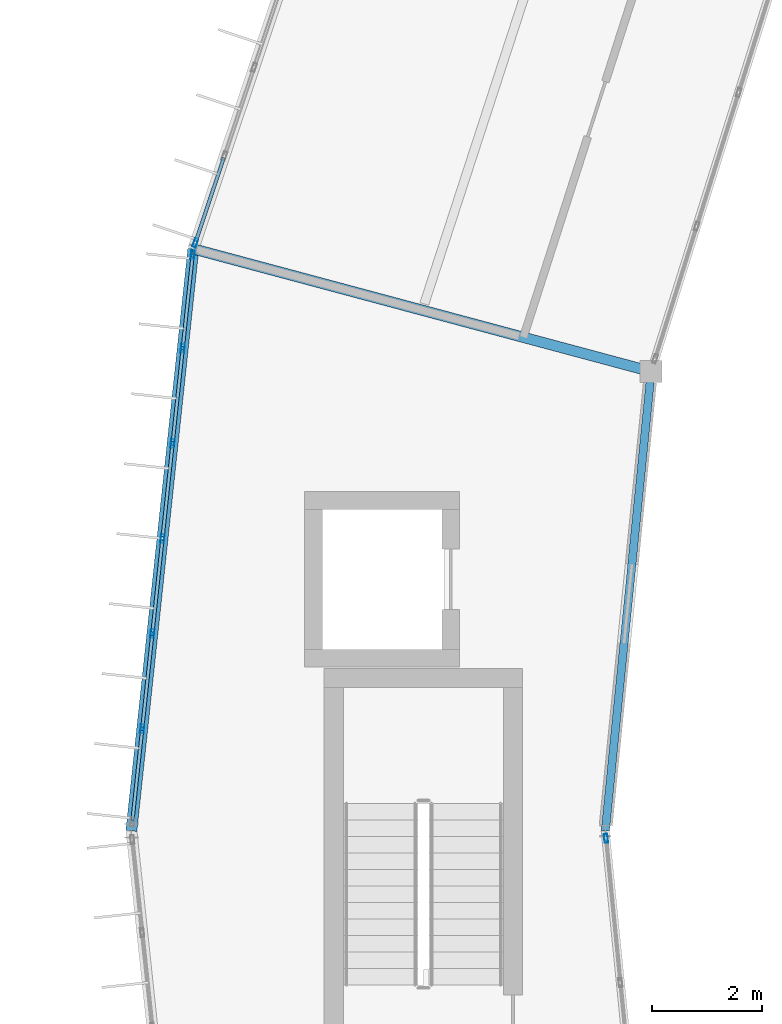
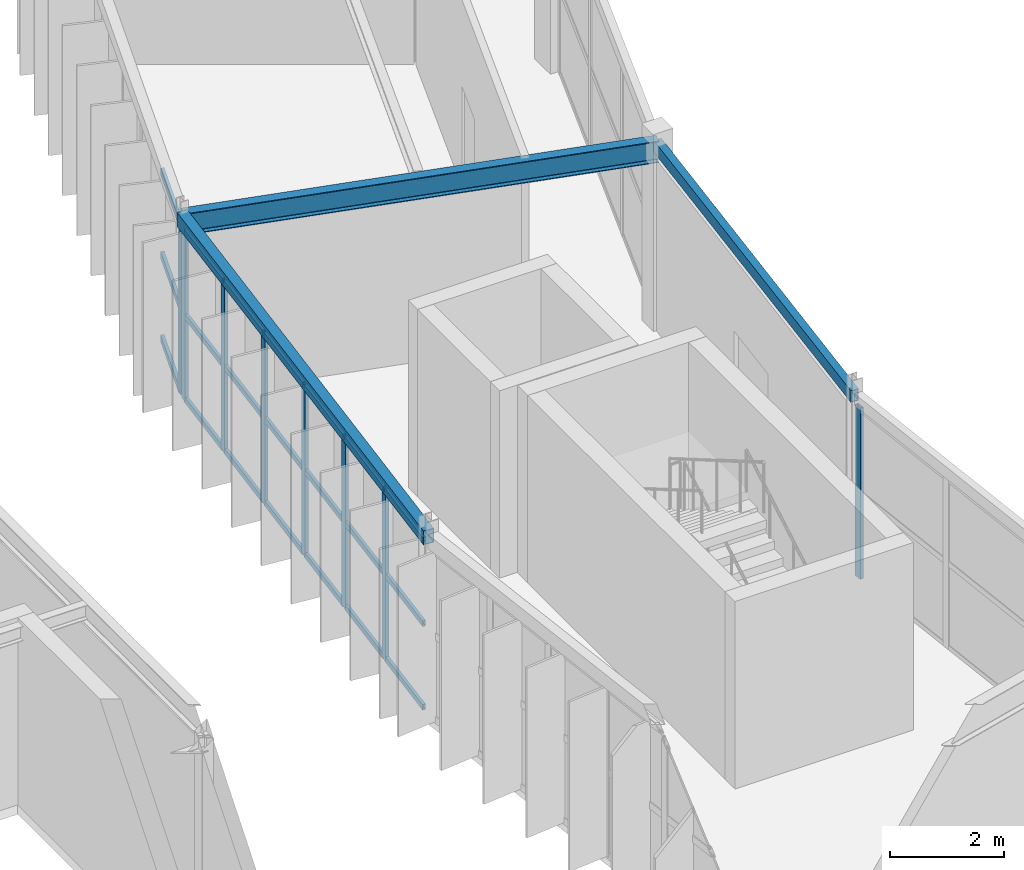
# One storey, part 39 of 130: 29 members, 3 beams, 3 elements without a shape of their own.
"""IFC4 building model written with IfcOpenShell, lengths in metres."""

from ifc_helpers import new_model, si_unit, direction, frame, origin, origin_2d, place, context, subcontext, project, spatial, hollow_rectangle, i_section, extrude, material, material_profile, profile_set, type_object, element, aggregate, save


model = new_model("IFC4")

# Units and contexts
model_context = context("Model", 3, precision=1e-05, world=origin(), true_north=direction((0.0, 1.0)))
body_context = subcontext(model_context, "Body", "Model", "MODEL_VIEW")
ifc_project = project(units=[si_unit("LENGTHUNIT", "METRE"), si_unit("AREAUNIT", "SQUARE_METRE"), si_unit("VOLUMEUNIT", "CUBIC_METRE"), si_unit("PLANEANGLEUNIT", "RADIAN"), si_unit("MASSUNIT", "GRAM", prefix="KILO")], contexts=[model_context])

# Site, building, storey
site_placement = place(None, origin())
site = spatial("IfcSite", under=ifc_project, at=site_placement, CompositionType="ELEMENT")
building_placement = place(site_placement, origin())
building = spatial("IfcBuilding", under=site, at=building_placement, Name="Karori Crest Natural Sciences Institute", CompositionType="ELEMENT")
storey_placement = place(building_placement, frame((0.0, 0.0, 17.5)))
storey = spatial("IfcBuildingStorey", under=building, at=storey_placement, Name="L04", CompositionType="ELEMENT", Elevation=17.5)

# Beams
ifc_material_1 = material(Name="Structural steel AS/NZS 3679.1 Grade 350", Category="steel")
ifc_material_profile_1 = material_profile(ifc_material_1, i_section(OverallWidth=0.19091796875, OverallDepth=0.4599609375, WebThickness=0.010009765625, FlangeThickness=0.01611328125, FilletRadius=0.010986328125, at=origin_2d()), Name="460UB82.1")
ifc_profile_set_1 = profile_set([ifc_material_profile_1], Name="Structural steel AS/NZS 3679.1 Grade 350")
beam_type_1 = type_object("IfcBeamType", Name="BT-06", PredefinedType="BEAM", material=ifc_profile_set_1)
beam_1_placement = place(storey_placement, frame((42.831298828125, 58.23388671875, 3.7099609375), z_axis=(-0.965925622404, 0.258819806009, 0.0), x_axis=(-0.258819806009, -0.965925622404, 0.0)))
element("IfcBeam", 1, at=beam_1_placement, inside=storey, type_object=beam_type_1, Name="Beam B-0495", PredefinedType="BEAM", context=body_context, shape_type="SweptSolid", body=[
    extrude(i_section(OverallWidth=0.19091796875, OverallDepth=0.4599609375, WebThickness=0.010009765625, FlangeThickness=0.01611328125, FilletRadius=0.010986328125, at=origin_2d()), origin(), (0.0, 0.0, 1.0), 8.599853515625),
])
ifc_material_2 = material(Name="Hollow structural steel AS/NZS 1163 Grade C350", Category="steel")
ifc_material_profile_2 = material_profile(ifc_material_2, hollow_rectangle(XDim=0.199951171875, YDim=0.300048828125, WallThickness=0.010009765625, at=origin_2d()), Name="RHS300x200x10")
ifc_profile_set_2 = profile_set([ifc_material_profile_2], Name="Hollow structural steel AS/NZS 1163 Grade C350")
beam_type_2 = type_object("IfcBeamType", Name="BT-15", PredefinedType="SPANDREL", material=ifc_profile_set_2)
beam_2_placement = place(storey_placement, frame((34.5244140625, 60.459716796875, 3.7900390625), z_axis=(-0.105891010563, -0.994377742049, 0.0), x_axis=(0.994377742049, -0.105891010563, 0.0)))
element("IfcBeam", 2, at=beam_2_placement, inside=storey, type_object=beam_type_2, Name="Beam B-0493", PredefinedType="SPANDREL", context=body_context, shape_type="SweptSolid", body=[
    extrude(hollow_rectangle(XDim=0.199951171875, YDim=0.300048828125, WallThickness=0.010009765625, at=origin_2d()), origin(), (0.0, 0.0, 1.0), 10.61962890625),
])
ifc_material_profile_3 = material_profile(ifc_material_2, hollow_rectangle(XDim=0.14990234375, YDim=0.25, WallThickness=0.009033203125, at=origin_2d()), Name="RHS250x150x9")
ifc_profile_set_3 = profile_set([ifc_material_profile_3], Name="Hollow structural steel AS/NZS 1163 Grade C350")
beam_type_3 = type_object("IfcBeamType", Name="BT-16", PredefinedType="SPANDREL", material=ifc_profile_set_3)
beam_3_placement = place(storey_placement, frame((42.831298828125, 58.23388671875, 3.7900390625), z_axis=(-0.099255508608, -0.995061979985, 0.0), x_axis=(0.995061979985, -0.099255508608, 0.0)))
element("IfcBeam", 3, at=beam_3_placement, inside=storey, type_object=beam_type_3, Name="Beam B-0494", PredefinedType="SPANDREL", context=body_context, shape_type="SweptSolid", body=[
    extrude(hollow_rectangle(XDim=0.14990234375, YDim=0.25, WallThickness=0.009033203125, at=origin_2d()), origin(), (0.0, 0.0, 1.0), 8.375244140625),
])

# Curtain wall, member
ifc_material_3 = material(Name="Anodised architectural aluminium 6063-T6", Category="aluminium")
curtain_wall_type_1 = type_object("IfcCurtainWallType", Name="CWT-01", PredefinedType="NOTDEFINED", material=ifc_material_3)
curtain_wall_1_placement = place(storey_placement, origin())
curtain_wall_1 = element("IfcCurtainWall", 4, at=curtain_wall_1_placement, inside=storey, type_object=curtain_wall_type_1, Name="Curtain wall CW-0151", PredefinedType="NOTDEFINED")
ifc_material_profile_4 = material_profile(ifc_material_3, hollow_rectangle(XDim=0.06494140625, YDim=0.159912109375, WallThickness=0.00390625, at=origin_2d()), Name="CWM160x65x4")
ifc_profile_set_4 = profile_set([ifc_material_profile_4], Name="Anodised architectural aluminium 6063-T6")
member_type_1 = type_object("IfcMemberType", Name="CWM-01", PredefinedType="MULLION", material=ifc_profile_set_4)
member_1_placement = place(storey_placement, frame((34.561279296875, 60.56982421875, 0.0), z_axis=(0.0, 0.0, 1.0), x_axis=(-0.94819805026, 0.317679803392, 0.0)))
member_1 = element("IfcMember", 5, at=member_1_placement, type_object=member_type_1, Name="CW-0151 mullion 1", PredefinedType="MULLION", context=body_context, shape_type="SweptSolid", body=[
    extrude(hollow_rectangle(XDim=0.06494140625, YDim=0.159912109375, WallThickness=0.00390625, at=origin_2d()), origin(), (0.0, 0.0, 1.0), 3.625),
])

# Curtain wall, members
curtain_wall_type_2 = type_object("IfcCurtainWallType", Name="CWT-02", PredefinedType="NOTDEFINED", material=ifc_material_3)
curtain_wall_2_placement = place(storey_placement, origin())
curtain_wall_2 = element("IfcCurtainWall", 6, at=curtain_wall_2_placement, inside=storey, type_object=curtain_wall_type_2, Name="Curtain wall CW-0153", PredefinedType="NOTDEFINED")
member_2_placement = place(storey_placement, frame((33.597412109375, 51.75341796875, 0.0), z_axis=(0.0, 0.0, 1.0), x_axis=(-0.994378309998, 0.105885677057, 0.0)))
member_2 = element("IfcMember", 7, at=member_2_placement, type_object=member_type_1, Name="CW-0153 mullion 2", PredefinedType="MULLION", context=body_context, shape_type="SweptSolid", body=[
    extrude(hollow_rectangle(XDim=0.06494140625, YDim=0.159912109375, WallThickness=0.00390625, at=origin_2d()), origin(), (0.0, 0.0, 1.0), 3.625),
])
member_3_placement = place(storey_placement, frame((33.781005859375, 53.47900390625, 0.0), z_axis=(0.0, 0.0, 1.0), x_axis=(-0.994378309998, 0.105885677057, 0.0)))
member_3 = element("IfcMember", 8, at=member_3_placement, type_object=member_type_1, Name="CW-0153 mullion 3", PredefinedType="MULLION", context=body_context, shape_type="SweptSolid", body=[
    extrude(hollow_rectangle(XDim=0.06494140625, YDim=0.159912109375, WallThickness=0.00390625, at=origin_2d()), origin(), (0.0, 0.0, 1.0), 3.625),
])
member_4_placement = place(storey_placement, frame((33.96484375, 55.204345703125, 0.0), z_axis=(0.0, 0.0, 1.0), x_axis=(-0.994378309998, 0.105885677057, 0.0)))
member_4 = element("IfcMember", 9, at=member_4_placement, type_object=member_type_1, Name="CW-0153 mullion 4", PredefinedType="MULLION", context=body_context, shape_type="SweptSolid", body=[
    extrude(hollow_rectangle(XDim=0.06494140625, YDim=0.159912109375, WallThickness=0.00390625, at=origin_2d()), origin(), (0.0, 0.0, 1.0), 3.625),
])
member_5_placement = place(storey_placement, frame((34.1484375, 56.9296875, 0.0), z_axis=(0.0, 0.0, 1.0), x_axis=(-0.994378309998, 0.105885677057, 0.0)))
member_5 = element("IfcMember", 10, at=member_5_placement, type_object=member_type_1, Name="CW-0153 mullion 5", PredefinedType="MULLION", context=body_context, shape_type="SweptSolid", body=[
    extrude(hollow_rectangle(XDim=0.06494140625, YDim=0.159912109375, WallThickness=0.00390625, at=origin_2d()), origin(), (0.0, 0.0, 1.0), 3.625),
])
member_6_placement = place(storey_placement, frame((34.332275390625, 58.6552734375, 0.0), z_axis=(0.0, 0.0, 1.0), x_axis=(-0.994378309998, 0.105885677057, 0.0)))
member_6 = element("IfcMember", 11, at=member_6_placement, type_object=member_type_1, Name="CW-0153 mullion 6", PredefinedType="MULLION", context=body_context, shape_type="SweptSolid", body=[
    extrude(hollow_rectangle(XDim=0.06494140625, YDim=0.159912109375, WallThickness=0.00390625, at=origin_2d()), origin(), (0.0, 0.0, 1.0), 3.625),
])
member_7_placement = place(storey_placement, frame((34.512451171875, 60.348388671875, 0.0), z_axis=(0.0, 0.0, 1.0), x_axis=(-0.994378309998, 0.105885677057, 0.0)))
member_7 = element("IfcMember", 12, at=member_7_placement, type_object=member_type_1, Name="CW-0153 mullion 7", PredefinedType="MULLION", context=body_context, shape_type="SweptSolid", body=[
    extrude(hollow_rectangle(XDim=0.06494140625, YDim=0.159912109375, WallThickness=0.00390625, at=origin_2d()), origin(), (0.0, 0.0, 1.0), 3.625),
])

# Curtain wall, member
curtain_wall_type_3 = type_object("IfcCurtainWallType", Name="CWT-13", PredefinedType="NOTDEFINED", material=ifc_material_3)
curtain_wall_3_placement = place(storey_placement, origin())
curtain_wall_3 = element("IfcCurtainWall", 13, at=curtain_wall_3_placement, inside=storey, type_object=curtain_wall_type_3, Name="Curtain wall CW-0155", PredefinedType="NOTDEFINED")
member_8_placement = place(storey_placement, frame((42.013427734375, 49.7646484375, 0.0), z_axis=(0.0, 0.0, 1.0), x_axis=(0.995060684604, 0.099268494275, 0.0)))
member_8 = element("IfcMember", 14, at=member_8_placement, type_object=member_type_1, Name="CW-0155 mullion 1", PredefinedType="MULLION", context=body_context, shape_type="SweptSolid", body=[
    extrude(hollow_rectangle(XDim=0.06494140625, YDim=0.159912109375, WallThickness=0.00390625, at=origin_2d()), origin(), (0.0, 0.0, 1.0), 3.64990234375),
])
aggregate(curtain_wall_3, [member_8])

# Member
ifc_material_profile_5 = material_profile(ifc_material_3, hollow_rectangle(XDim=0.06005859375, YDim=0.1201171875, WallThickness=0.00390625, at=origin_2d()), Name="CWT120x60x4")
ifc_profile_set_5 = profile_set([ifc_material_profile_5], Name="Anodised architectural aluminium 6063-T6")
member_type_2 = type_object("IfcMemberType", Name="CWT-TR1", PredefinedType="USERDEFINED", material=ifc_profile_set_5)
member_9_placement = place(storey_placement, frame((33.42041015625, 50.092529296875, 0.030029296875), z_axis=(0.1059804823, 0.994368210157, 0.0), x_axis=(-0.994368210157, 0.1059804823, 0.0)))
member_9 = element("IfcMember", 15, at=member_9_placement, type_object=member_type_2, Name="CW-0153 transom 1.1", ObjectType="TRANSOM", PredefinedType="USERDEFINED", context=body_context, shape_type="SweptSolid", body=[
    extrude(hollow_rectangle(XDim=0.06005859375, YDim=0.1201171875, WallThickness=0.00390625, at=origin_2d()), origin(), (0.0, 0.0, 1.0), 1.637939453125),
])

member_10_placement = place(storey_placement, frame((33.42041015625, 50.092529296875, 1.8125), z_axis=(0.1059804823, 0.994368210157, 0.0), x_axis=(-0.994368210157, 0.1059804823, 0.0)))
member_10 = element("IfcMember", 16, at=member_10_placement, type_object=member_type_2, Name="CW-0153 transom 1.2", ObjectType="TRANSOM", PredefinedType="USERDEFINED", context=body_context, shape_type="SweptSolid", body=[
    extrude(hollow_rectangle(XDim=0.06005859375, YDim=0.1201171875, WallThickness=0.00390625, at=origin_2d()), origin(), (0.0, 0.0, 1.0), 1.637939453125),
])

member_11_placement = place(storey_placement, frame((33.42041015625, 50.092529296875, 3.594970703125), z_axis=(0.1059804823, 0.994368210157, 0.0), x_axis=(-0.994368210157, 0.1059804823, 0.0)))
member_11 = element("IfcMember", 17, at=member_11_placement, type_object=member_type_2, Name="CW-0153 transom 1.3", ObjectType="TRANSOM", PredefinedType="USERDEFINED", context=body_context, shape_type="SweptSolid", body=[
    extrude(hollow_rectangle(XDim=0.06005859375, YDim=0.1201171875, WallThickness=0.00390625, at=origin_2d()), origin(), (0.0, 0.0, 1.0), 1.637939453125),
])

member_12_placement = place(storey_placement, frame((33.600830078125, 51.785888671875, 0.030029296875), z_axis=(0.105841415473, 0.994383022165, 0.0), x_axis=(-0.994383022165, 0.105841415473, 0.0)))
member_12 = element("IfcMember", 18, at=member_12_placement, type_object=member_type_2, Name="CW-0153 transom 2.1", ObjectType="TRANSOM", PredefinedType="USERDEFINED", context=body_context, shape_type="SweptSolid", body=[
    extrude(hollow_rectangle(XDim=0.06005859375, YDim=0.1201171875, WallThickness=0.00390625, at=origin_2d()), origin(), (0.0, 0.0, 1.0), 1.669921875),
])

member_13_placement = place(storey_placement, frame((33.600830078125, 51.785888671875, 1.8125), z_axis=(0.105841415473, 0.994383022165, 0.0), x_axis=(-0.994383022165, 0.105841415473, 0.0)))
member_13 = element("IfcMember", 19, at=member_13_placement, type_object=member_type_2, Name="CW-0153 transom 2.2", ObjectType="TRANSOM", PredefinedType="USERDEFINED", context=body_context, shape_type="SweptSolid", body=[
    extrude(hollow_rectangle(XDim=0.06005859375, YDim=0.1201171875, WallThickness=0.00390625, at=origin_2d()), origin(), (0.0, 0.0, 1.0), 1.669921875),
])

member_14_placement = place(storey_placement, frame((33.600830078125, 51.785888671875, 3.594970703125), z_axis=(0.105841415473, 0.994383022165, 0.0), x_axis=(-0.994383022165, 0.105841415473, 0.0)))
member_14 = element("IfcMember", 20, at=member_14_placement, type_object=member_type_2, Name="CW-0153 transom 2.3", ObjectType="TRANSOM", PredefinedType="USERDEFINED", context=body_context, shape_type="SweptSolid", body=[
    extrude(hollow_rectangle(XDim=0.06005859375, YDim=0.1201171875, WallThickness=0.00390625, at=origin_2d()), origin(), (0.0, 0.0, 1.0), 1.669921875),
])

member_15_placement = place(storey_placement, frame((33.784423828125, 53.51123046875, 0.030029296875), z_axis=(0.105970559906, 0.994369267643, 0.0), x_axis=(-0.994369267643, 0.105970559906, 0.0)))
member_15 = element("IfcMember", 21, at=member_15_placement, type_object=member_type_2, Name="CW-0153 transom 3.1", ObjectType="TRANSOM", PredefinedType="USERDEFINED", context=body_context, shape_type="SweptSolid", body=[
    extrude(hollow_rectangle(XDim=0.06005859375, YDim=0.1201171875, WallThickness=0.00390625, at=origin_2d()), origin(), (0.0, 0.0, 1.0), 1.67041015625),
])

member_16_placement = place(storey_placement, frame((33.784423828125, 53.51123046875, 1.8125), z_axis=(0.105970559906, 0.994369267643, 0.0), x_axis=(-0.994369267643, 0.105970559906, 0.0)))
member_16 = element("IfcMember", 22, at=member_16_placement, type_object=member_type_2, Name="CW-0153 transom 3.2", ObjectType="TRANSOM", PredefinedType="USERDEFINED", context=body_context, shape_type="SweptSolid", body=[
    extrude(hollow_rectangle(XDim=0.06005859375, YDim=0.1201171875, WallThickness=0.00390625, at=origin_2d()), origin(), (0.0, 0.0, 1.0), 1.67041015625),
])

member_17_placement = place(storey_placement, frame((33.784423828125, 53.51123046875, 3.594970703125), z_axis=(0.105970559906, 0.994369267643, 0.0), x_axis=(-0.994369267643, 0.105970559906, 0.0)))
member_17 = element("IfcMember", 23, at=member_17_placement, type_object=member_type_2, Name="CW-0153 transom 3.3", ObjectType="TRANSOM", PredefinedType="USERDEFINED", context=body_context, shape_type="SweptSolid", body=[
    extrude(hollow_rectangle(XDim=0.06005859375, YDim=0.1201171875, WallThickness=0.00390625, at=origin_2d()), origin(), (0.0, 0.0, 1.0), 1.67041015625),
])

member_18_placement = place(storey_placement, frame((33.96826171875, 55.236572265625, 0.030029296875), z_axis=(0.105826031672, 0.994384659486, 0.0), x_axis=(-0.994384659486, 0.105826031672, 0.0)))
member_18 = element("IfcMember", 24, at=member_18_placement, type_object=member_type_2, Name="CW-0153 transom 4.1", ObjectType="TRANSOM", PredefinedType="USERDEFINED", context=body_context, shape_type="SweptSolid", body=[
    extrude(hollow_rectangle(XDim=0.06005859375, YDim=0.1201171875, WallThickness=0.00390625, at=origin_2d()), origin(), (0.0, 0.0, 1.0), 1.670166015625),
])

member_19_placement = place(storey_placement, frame((33.96826171875, 55.236572265625, 1.8125), z_axis=(0.105826031672, 0.994384659486, 0.0), x_axis=(-0.994384659486, 0.105826031672, 0.0)))
member_19 = element("IfcMember", 25, at=member_19_placement, type_object=member_type_2, Name="CW-0153 transom 4.2", ObjectType="TRANSOM", PredefinedType="USERDEFINED", context=body_context, shape_type="SweptSolid", body=[
    extrude(hollow_rectangle(XDim=0.06005859375, YDim=0.1201171875, WallThickness=0.00390625, at=origin_2d()), origin(), (0.0, 0.0, 1.0), 1.670166015625),
])

member_20_placement = place(storey_placement, frame((33.96826171875, 55.236572265625, 3.594970703125), z_axis=(0.105826031672, 0.994384659486, 0.0), x_axis=(-0.994384659486, 0.105826031672, 0.0)))
member_20 = element("IfcMember", 26, at=member_20_placement, type_object=member_type_2, Name="CW-0153 transom 4.3", ObjectType="TRANSOM", PredefinedType="USERDEFINED", context=body_context, shape_type="SweptSolid", body=[
    extrude(hollow_rectangle(XDim=0.06005859375, YDim=0.1201171875, WallThickness=0.00390625, at=origin_2d()), origin(), (0.0, 0.0, 1.0), 1.670166015625),
])

member_21_placement = place(storey_placement, frame((34.15185546875, 56.962158203125, 0.030029296875), z_axis=(0.105970559906, 0.994369267643, 0.0), x_axis=(-0.994369267643, 0.105970559906, 0.0)))
member_21 = element("IfcMember", 27, at=member_21_placement, type_object=member_type_2, Name="CW-0153 transom 5.1", ObjectType="TRANSOM", PredefinedType="USERDEFINED", context=body_context, shape_type="SweptSolid", body=[
    extrude(hollow_rectangle(XDim=0.06005859375, YDim=0.1201171875, WallThickness=0.00390625, at=origin_2d()), origin(), (0.0, 0.0, 1.0), 1.67041015625),
])

member_22_placement = place(storey_placement, frame((34.15185546875, 56.962158203125, 1.8125), z_axis=(0.105970559906, 0.994369267643, 0.0), x_axis=(-0.994369267643, 0.105970559906, 0.0)))
member_22 = element("IfcMember", 28, at=member_22_placement, type_object=member_type_2, Name="CW-0153 transom 5.2", ObjectType="TRANSOM", PredefinedType="USERDEFINED", context=body_context, shape_type="SweptSolid", body=[
    extrude(hollow_rectangle(XDim=0.06005859375, YDim=0.1201171875, WallThickness=0.00390625, at=origin_2d()), origin(), (0.0, 0.0, 1.0), 1.67041015625),
])

member_23_placement = place(storey_placement, frame((34.15185546875, 56.962158203125, 3.594970703125), z_axis=(0.105970559906, 0.994369267643, 0.0), x_axis=(-0.994369267643, 0.105970559906, 0.0)))
member_23 = element("IfcMember", 29, at=member_23_placement, type_object=member_type_2, Name="CW-0153 transom 5.3", ObjectType="TRANSOM", PredefinedType="USERDEFINED", context=body_context, shape_type="SweptSolid", body=[
    extrude(hollow_rectangle(XDim=0.06005859375, YDim=0.1201171875, WallThickness=0.00390625, at=origin_2d()), origin(), (0.0, 0.0, 1.0), 1.67041015625),
])

member_24_placement = place(storey_placement, frame((34.335693359375, 58.6875, 0.030029296875), z_axis=(0.105833094668, 0.994383907791, 0.0), x_axis=(-0.994383907791, 0.105833094668, 0.0)))
member_24 = element("IfcMember", 30, at=member_24_placement, type_object=member_type_2, Name="CW-0153 transom 6.1", ObjectType="TRANSOM", PredefinedType="USERDEFINED", context=body_context, shape_type="SweptSolid", body=[
    extrude(hollow_rectangle(XDim=0.06005859375, YDim=0.1201171875, WallThickness=0.00390625, at=origin_2d()), origin(), (0.0, 0.0, 1.0), 1.637939453125),
])

member_25_placement = place(storey_placement, frame((34.335693359375, 58.6875, 1.8125), z_axis=(0.105833094668, 0.994383907791, 0.0), x_axis=(-0.994383907791, 0.105833094668, 0.0)))
member_25 = element("IfcMember", 31, at=member_25_placement, type_object=member_type_2, Name="CW-0153 transom 6.2", ObjectType="TRANSOM", PredefinedType="USERDEFINED", context=body_context, shape_type="SweptSolid", body=[
    extrude(hollow_rectangle(XDim=0.06005859375, YDim=0.1201171875, WallThickness=0.00390625, at=origin_2d()), origin(), (0.0, 0.0, 1.0), 1.637939453125),
])

member_26_placement = place(storey_placement, frame((34.335693359375, 58.6875, 3.594970703125), z_axis=(0.105833094668, 0.994383907791, 0.0), x_axis=(-0.994383907791, 0.105833094668, 0.0)))
member_26 = element("IfcMember", 32, at=member_26_placement, type_object=member_type_2, Name="CW-0153 transom 6.3", ObjectType="TRANSOM", PredefinedType="USERDEFINED", context=body_context, shape_type="SweptSolid", body=[
    extrude(hollow_rectangle(XDim=0.06005859375, YDim=0.1201171875, WallThickness=0.00390625, at=origin_2d()), origin(), (0.0, 0.0, 1.0), 1.637939453125),
])

aggregate(curtain_wall_2, [member_2, member_3, member_4, member_5, member_6, member_7, member_9, member_10, member_11, member_12, member_13, member_14, member_15, member_16, member_17, member_18, member_19, member_20, member_21, member_22, member_23, member_24, member_25, member_26])

ifc_material_profile_6 = material_profile(ifc_material_3, hollow_rectangle(XDim=0.06494140625, YDim=0.14990234375, WallThickness=0.00390625, at=origin_2d()), Name="CWT150x65x4")
ifc_profile_set_6 = profile_set([ifc_material_profile_6], Name="Anodised architectural aluminium 6063-T6")
member_type_3 = type_object("IfcMemberType", Name="CWT-TR2", PredefinedType="USERDEFINED", material=ifc_profile_set_6)
member_27_placement = place(storey_placement, frame((34.571533203125, 60.6005859375, 0.032470703125), z_axis=(0.317695793379, 0.9481926929, 0.0), x_axis=(-0.9481926929, 0.317695793379, 0.0)))
member_27 = element("IfcMember", 33, at=member_27_placement, type_object=member_type_3, Name="CW-0151 transom 1.1", ObjectType="TRANSOM", PredefinedType="USERDEFINED", context=body_context, shape_type="SweptSolid", body=[
    extrude(hollow_rectangle(XDim=0.06494140625, YDim=0.14990234375, WallThickness=0.00390625, at=origin_2d()), origin(), (0.0, 0.0, 1.0), 1.59619140625),
])

member_28_placement = place(storey_placement, frame((34.571533203125, 60.6005859375, 1.8125), z_axis=(0.317695793379, 0.9481926929, 0.0), x_axis=(-0.9481926929, 0.317695793379, 0.0)))
member_28 = element("IfcMember", 34, at=member_28_placement, type_object=member_type_3, Name="CW-0151 transom 1.2", ObjectType="TRANSOM", PredefinedType="USERDEFINED", context=body_context, shape_type="SweptSolid", body=[
    extrude(hollow_rectangle(XDim=0.06494140625, YDim=0.14990234375, WallThickness=0.00390625, at=origin_2d()), origin(), (0.0, 0.0, 1.0), 1.59619140625),
])

member_29_placement = place(storey_placement, frame((34.571533203125, 60.6005859375, 3.592529296875), z_axis=(0.317695793379, 0.9481926929, 0.0), x_axis=(-0.9481926929, 0.317695793379, 0.0)))
member_29 = element("IfcMember", 35, at=member_29_placement, type_object=member_type_3, Name="CW-0151 transom 1.3", ObjectType="TRANSOM", PredefinedType="USERDEFINED", context=body_context, shape_type="SweptSolid", body=[
    extrude(hollow_rectangle(XDim=0.06494140625, YDim=0.14990234375, WallThickness=0.00390625, at=origin_2d()), origin(), (0.0, 0.0, 1.0), 1.59619140625),
])

aggregate(curtain_wall_1, [member_1, member_27, member_28, member_29])

save(model, "model.ifc")
